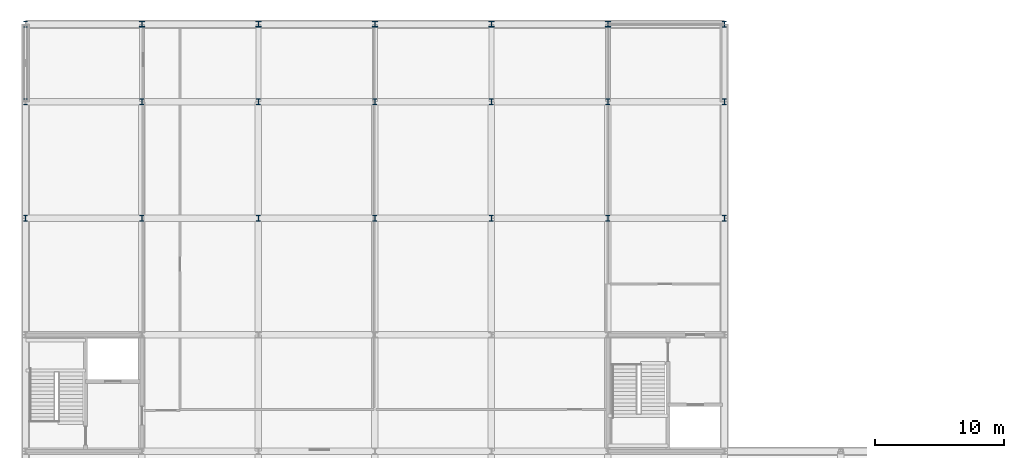
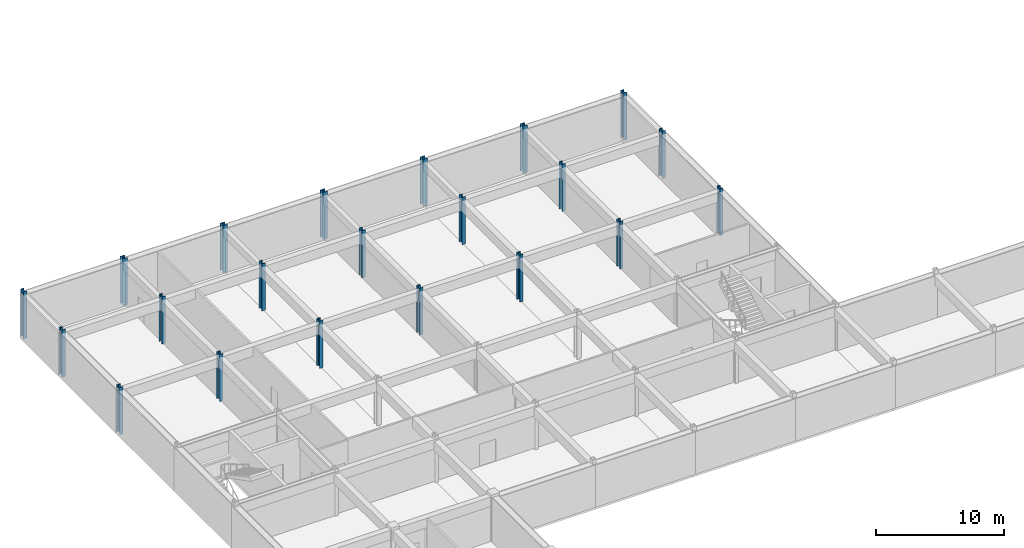
# One storey, part 8 of 35: 21 columns.
"""IFC4 building model written with IfcOpenShell, lengths in metres."""

import ifcopenshell
import ifcopenshell.guid

model = None  # the IFC model being written
_history = None  # IfcOwnerHistory: only IFC2X3 demands one
_inside = {}  # id of a spatial element -> (the spatial element, [elements in it])
_under = {}  # id of a project, library or spatial element -> (it, [spatial elements below it])
_declared = {}  # id of a project -> (the project, [libraries it declares])
_typed = {}  # id of a type object -> (the type object, [elements of that type])
_made_of = {}  # id of a material, layer set ... -> (it, [elements and type objects made of it])


def new_model(schema):
    """Start an empty IFC model of exactly this schema.

    Asked for "IFC4X3", IfcOpenShell would pick the latest addendum, in which some entities
    have other attributes; the version numbers below select the first issue.
    IFC2X3 requires an IfcOwnerHistory on every rooted entity: one is made here for all.
    """
    global model, _history
    if schema == "IFC4X3":
        model = ifcopenshell.file(schema_version=(4, 3, 0, 0))
    else:
        model = ifcopenshell.file(schema=schema)
    _inside.clear()
    _under.clear()
    _declared.clear()
    _typed.clear()
    _made_of.clear()
    _history = None
    if model.schema == "IFC2X3":
        org = make("IfcOrganization", Name="unknown")
        user = make(
            "IfcPersonAndOrganization",
            ThePerson=make("IfcPerson", FamilyName="unknown"),
            TheOrganization=org,
        )
        app = make(
            "IfcApplication",
            ApplicationDeveloper=org,
            Version="unknown",
            ApplicationFullName="unknown",
            ApplicationIdentifier="unknown",
        )
        _history = make(
            "IfcOwnerHistory",
            OwningUser=user,
            OwningApplication=app,
            ChangeAction="ADDED",
            CreationDate=0,
        )
    return model


def make(cls, **values):
    """One entity of the class cls with the attributes given. An attribute that is None is left unset."""
    return model.create_entity(
        cls, **{name: value for name, value in values.items() if value is not None}
    )


def rooted(cls, **values):
    """An entity with a GlobalId (a new one), such as an element, a storey or a relation."""
    return make(cls, GlobalId=ifcopenshell.guid.new(), OwnerHistory=_history, **values)


def si_unit(unit_type, name, prefix=None):
    """IfcSIUnit, for example si_unit("LENGTHUNIT", "METRE", prefix="MILLI")."""
    return make("IfcSIUnit", UnitType=unit_type, Prefix=prefix, Name=name)


def assignment(units):
    """IfcUnitAssignment: the units of a project."""
    return None if units is None else make("IfcUnitAssignment", Units=units)


def point(xyz):
    """IfcCartesianPoint."""
    return None if xyz is None else make("IfcCartesianPoint", Coordinates=xyz)


def direction(xyz):
    """IfcDirection."""
    return None if xyz is None else make("IfcDirection", DirectionRatios=xyz)


def frame(location, z_axis=None, x_axis=None):
    """IfcAxis2Placement3D, a coordinate frame: its origin and axes. An axis left out is left unset."""
    return make(
        "IfcAxis2Placement3D",
        Location=point(location),
        Axis=direction(z_axis),
        RefDirection=direction(x_axis),
    )


def frame_2d(location, x_axis=None):
    """IfcAxis2Placement2D, a coordinate frame in the plane: its origin and x axis."""
    return make(
        "IfcAxis2Placement2D", Location=point(location), RefDirection=direction(x_axis)
    )


def origin():
    """The frame at (0, 0, 0) with its axes left unset."""
    return frame((0.0, 0.0, 0.0))


def origin_2d():
    """The frame at (0, 0) in the plane with its x axis left unset."""
    return frame_2d((0.0, 0.0))


def place(relative_to, where):
    """IfcLocalPlacement: puts the frame where relative to a parent placement (None: the world)."""
    return make(
        "IfcLocalPlacement", PlacementRelTo=relative_to, RelativePlacement=where
    )


def context(
    kind, dimensions, precision=None, world=None, true_north=None, identifier=None
):
    """IfcGeometricRepresentationContext, for example the 3D "Model" context."""
    return make(
        "IfcGeometricRepresentationContext",
        ContextIdentifier=identifier,
        ContextType=kind,
        CoordinateSpaceDimension=dimensions,
        Precision=precision,
        WorldCoordinateSystem=world,
        TrueNorth=true_north,
    )


def subcontext(parent, identifier, kind, view, scale=None):
    """IfcGeometricRepresentationSubContext, for example "Body" below "Model"."""
    return make(
        "IfcGeometricRepresentationSubContext",
        ContextIdentifier=identifier,
        ContextType=kind,
        ParentContext=parent,
        TargetScale=scale,
        TargetView=view,
    )


def project(units=None, contexts=None):
    """IfcProject with its units and contexts."""
    return rooted(
        "IfcProject",
        Name="project",
        RepresentationContexts=contexts,
        UnitsInContext=assignment(units),
    )


def spatial(cls, under=None, at=None, **own):
    """A site, building, storey or space (cls), placed at a placement, below another one or the project."""
    s = rooted(cls, ObjectPlacement=at, **own)
    if under is not None:
        _under.setdefault(under.id(), (under, []))[1].append(s)
    return s


def profile(cls, at=None, kind="AREA", **sizes):
    """A parametric profile (cls). Its sizes go by their IFC names, for example OverallWidth=200.0."""
    return make(cls, ProfileType=kind, Position=at, **sizes)


def i_section(**sizes):
    """IfcIShapeProfileDef."""
    return profile("IfcIShapeProfileDef", **sizes)


def extrude(swept, where, along, depth):
    """IfcExtrudedAreaSolid: the profile swept, set in the frame where, extruded along a direction by depth."""
    return make(
        "IfcExtrudedAreaSolid",
        SweptArea=swept,
        Position=where,
        ExtrudedDirection=direction(along),
        Depth=depth,
    )


def shape(context_of_items, identifier, shape_type, items):
    """IfcShapeRepresentation: the items that make up one representation, for example the "Body"."""
    return make(
        "IfcShapeRepresentation",
        ContextOfItems=context_of_items,
        RepresentationIdentifier=identifier,
        RepresentationType=shape_type,
        Items=items,
    )


def material(Name=None, Category=None):
    """IfcMaterial."""
    return make("IfcMaterial", Name=Name, Category=Category)


def material_profile(
    of_material, cross_section, Name=None, Category=None, Priority=None
):
    """IfcMaterialProfile: a cross section and its material."""
    return make(
        "IfcMaterialProfile",
        Name=Name,
        Material=of_material,
        Profile=cross_section,
        Priority=Priority,
        Category=Category,
    )


def profile_set(profiles, Name=None, composite=None):
    """IfcMaterialProfileSet."""
    return make(
        "IfcMaterialProfileSet",
        Name=Name,
        MaterialProfiles=profiles,
        CompositeProfile=composite,
    )


def made_of(thing, what):
    """Note that an element or type object is made of a material, layer set ...; save() writes the relation."""
    if what is not None:
        _made_of.setdefault(what.id(), (what, []))[1].append(thing)
    return thing


def type_object(cls, material=None, **own):
    """A type object (cls), such as IfcWallType, which elements share."""
    return made_of(rooted(cls, **own), material)


def element(
    cls,
    number,
    at=None,
    inside=None,
    cuts=None,
    type_object=None,
    material=None,
    context=None,
    identifier="Body",
    shape_type=None,
    held_by="IfcProductDefinitionShape",
    body=None,
    shapes=None,
    **own,
):
    """One element of the class cls, such as IfcWall. Its Tag is "e" and its number.

    at: its placement. inside: the storey or other place that contains it. cuts: it is an
    opening in that element (IfcRelVoidsElement). A single representation is given by context,
    identifier, shape_type and body (its items); several are given by shapes. held_by: the class
    of the entity that holds the representations. save() writes the other relations.
    """
    e = rooted(cls, Tag="e%d" % number, ObjectPlacement=at, **own)
    if body is not None:
        shapes = [shape(context, identifier, shape_type, body)]
    if shapes is not None:
        e.Representation = make(held_by, Representations=shapes)
    if inside is not None:
        _inside.setdefault(inside.id(), (inside, []))[1].append(e)
    if cuts is not None:
        rooted(
            "IfcRelVoidsElement", RelatingBuildingElement=cuts, RelatedOpeningElement=e
        )
    if type_object is not None:
        _typed.setdefault(type_object.id(), (type_object, []))[1].append(e)
    return made_of(e, material)


def aggregate(whole, parts):
    """IfcRelAggregates: a whole, such as a stair, and the parts it consists of."""
    return rooted("IfcRelAggregates", RelatingObject=whole, RelatedObjects=parts)


def save(model, path):
    """Write the relations noted so far, then the file.

    IfcRelAggregates (storeys below a building ...), IfcRelContainedInSpatialStructure (elements
    in a storey), IfcRelDefinesByType, IfcRelAssociatesMaterial and IfcRelDeclares: one each for
    every whole, place, type object, material and project.
    """
    for whole, parts in _under.values():
        aggregate(whole, parts)
    for where, things in _inside.values():
        rooted(
            "IfcRelContainedInSpatialStructure",
            RelatedElements=things,
            RelatingStructure=where,
        )
    for kind, things in _typed.values():
        rooted("IfcRelDefinesByType", RelatedObjects=things, RelatingType=kind)
    for what, things in _made_of.values():
        rooted("IfcRelAssociatesMaterial", RelatedObjects=things, RelatingMaterial=what)
    for by, libraries in _declared.values():
        rooted("IfcRelDeclares", RelatingContext=by, RelatedDefinitions=libraries)
    model.write(path)


model = new_model("IFC4")

# Units and contexts
model_context = context("Model", 3, precision=1e-05, world=origin(), true_north=direction((0.0, 1.0)))
body_context = subcontext(model_context, "Body", "Model", "MODEL_VIEW")
ifc_project = project(units=[si_unit("LENGTHUNIT", "METRE"), si_unit("AREAUNIT", "SQUARE_METRE"), si_unit("VOLUMEUNIT", "CUBIC_METRE"), si_unit("PLANEANGLEUNIT", "RADIAN"), si_unit("MASSUNIT", "GRAM", prefix="KILO")], contexts=[model_context])

# Site, building, storey
site_placement = place(None, origin())
site = spatial("IfcSite", under=ifc_project, at=site_placement, CompositionType="ELEMENT")
building_placement = place(site_placement, origin())
building = spatial("IfcBuilding", under=site, at=building_placement, Name="Palais des Congres Ocreval", CompositionType="ELEMENT")
storey_placement = place(building_placement, frame((0.0, 0.0, -4.47998046875)))
storey = spatial("IfcBuildingStorey", under=building, at=storey_placement, Name="B1", CompositionType="ELEMENT", Elevation=-4.47998046875)

# Columns
ifc_material_1 = material(Name="Steel S460", Category="steel")
ifc_material_profile_1 = material_profile(ifc_material_1, i_section(OverallWidth=0.412109375, OverallDepth=0.43505859375, WebThickness=0.027099609375, FlangeThickness=0.0458984375, at=origin_2d()), Name="HD 400x463")
ifc_profile_set_1 = profile_set([ifc_material_profile_1], Name="Steel S460")
column_type_1 = type_object("IfcColumnType", Name="Column HD 400x463 Steel S460", PredefinedType="COLUMN", material=ifc_profile_set_1)
for number, where, z_axis, x_axis, name in (
    (1, (9.0, 114.0, 0.0), (0.0, 0.0, 1.0), (1.0, 0.0, 0.0), "Column C02 B1"),
    (2, (18.0, 114.0, 0.0), (0.0, 0.0, 1.0), (1.0, 0.0, 0.0), "Column C02 B1"),
    (3, (27.0, 114.0, 0.0), (0.0, 0.0, 1.0), (1.0, 0.0, 0.0), "Column C02 B1"),
    (4, (36.0, 114.0, 0.0), (0.0, 0.0, 1.0), (1.0, 0.0, 0.0), "Column C02 B1"),
    (5, (45.0, 114.0, 0.0), (0.0, 0.0, 1.0), (1.0, 0.0, 0.0), "Column C02 B1"),
):
    element("IfcColumn", number, at=place(storey_placement, frame(where, z_axis=z_axis, x_axis=x_axis)), inside=storey, type_object=column_type_1, Name=name, PredefinedType="COLUMN", context=body_context, shape_type="SweptSolid", body=[
        extrude(i_section(OverallWidth=0.412109375, OverallDepth=0.43505859375, WebThickness=0.027099609375, FlangeThickness=0.0458984375, at=origin_2d()), origin(), (0.0, 0.0, 1.0), 4.47998046875),
    ])
ifc_material_2 = material(Name="Steel S355", Category="steel")
ifc_material_profile_2 = material_profile(ifc_material_2, i_section(OverallWidth=0.306884765625, OverallDepth=0.47802734375, WebThickness=0.02099609375, FlangeThickness=0.0400390625, at=origin_2d()), Name="HEM 450")
ifc_profile_set_2 = profile_set([ifc_material_profile_2], Name="Steel S355")
column_type_2 = type_object("IfcColumnType", Name="Column HEM 450 Steel S355", PredefinedType="COLUMN", material=ifc_profile_set_2)
for number, where, z_axis, x_axis, name in (
    (6, (0.0, 99.0, 0.0), (0.0, 0.0, 1.0), (1.0, 0.0, 0.0), "Column C06 B1"),
    (7, (0.0, 108.0, 0.0), (0.0, 0.0, 1.0), (1.0, 0.0, 0.0), "Column C06 B1"),
    (8, (0.0, 114.0, 0.0), (0.0, 0.0, 1.0), (1.0, 0.0, 0.0), "Column C06 B1"),
    (9, (9.0, 99.0, 0.0), (0.0, 0.0, 1.0), (1.0, 0.0, 0.0), "Column C06 B1"),
    (10, (9.0, 108.0, 0.0), (0.0, 0.0, 1.0), (1.0, 0.0, 0.0), "Column C06 B1"),
    (11, (18.0, 99.0, 0.0), (0.0, 0.0, 1.0), (1.0, 0.0, 0.0), "Column C06 B1"),
    (12, (18.0, 108.0, 0.0), (0.0, 0.0, 1.0), (1.0, 0.0, 0.0), "Column C06 B1"),
    (13, (27.0, 99.0, 0.0), (0.0, 0.0, 1.0), (1.0, 0.0, 0.0), "Column C06 B1"),
    (14, (27.0, 108.0, 0.0), (0.0, 0.0, 1.0), (1.0, 0.0, 0.0), "Column C06 B1"),
    (15, (36.0, 99.0, 0.0), (0.0, 0.0, 1.0), (1.0, 0.0, 0.0), "Column C06 B1"),
    (16, (36.0, 108.0, 0.0), (0.0, 0.0, 1.0), (1.0, 0.0, 0.0), "Column C06 B1"),
    (17, (45.0, 99.0, 0.0), (0.0, 0.0, 1.0), (1.0, 0.0, 0.0), "Column C06 B1"),
    (18, (45.0, 108.0, 0.0), (0.0, 0.0, 1.0), (1.0, 0.0, 0.0), "Column C06 B1"),
    (19, (54.0, 99.0, 0.0), (0.0, 0.0, 1.0), (1.0, 0.0, 0.0), "Column C06 B1"),
    (20, (54.0, 108.0, 0.0), (0.0, 0.0, 1.0), (1.0, 0.0, 0.0), "Column C06 B1"),
    (21, (54.0, 114.0, 0.0), (0.0, 0.0, 1.0), (1.0, 0.0, 0.0), "Column C06 B1"),
):
    element("IfcColumn", number, at=place(storey_placement, frame(where, z_axis=z_axis, x_axis=x_axis)), inside=storey, type_object=column_type_2, Name=name, PredefinedType="COLUMN", context=body_context, shape_type="SweptSolid", body=[
        extrude(i_section(OverallWidth=0.306884765625, OverallDepth=0.47802734375, WebThickness=0.02099609375, FlangeThickness=0.0400390625, at=origin_2d()), origin(), (0.0, 0.0, 1.0), 4.47998046875),
    ])

save(model, "model.ifc")
